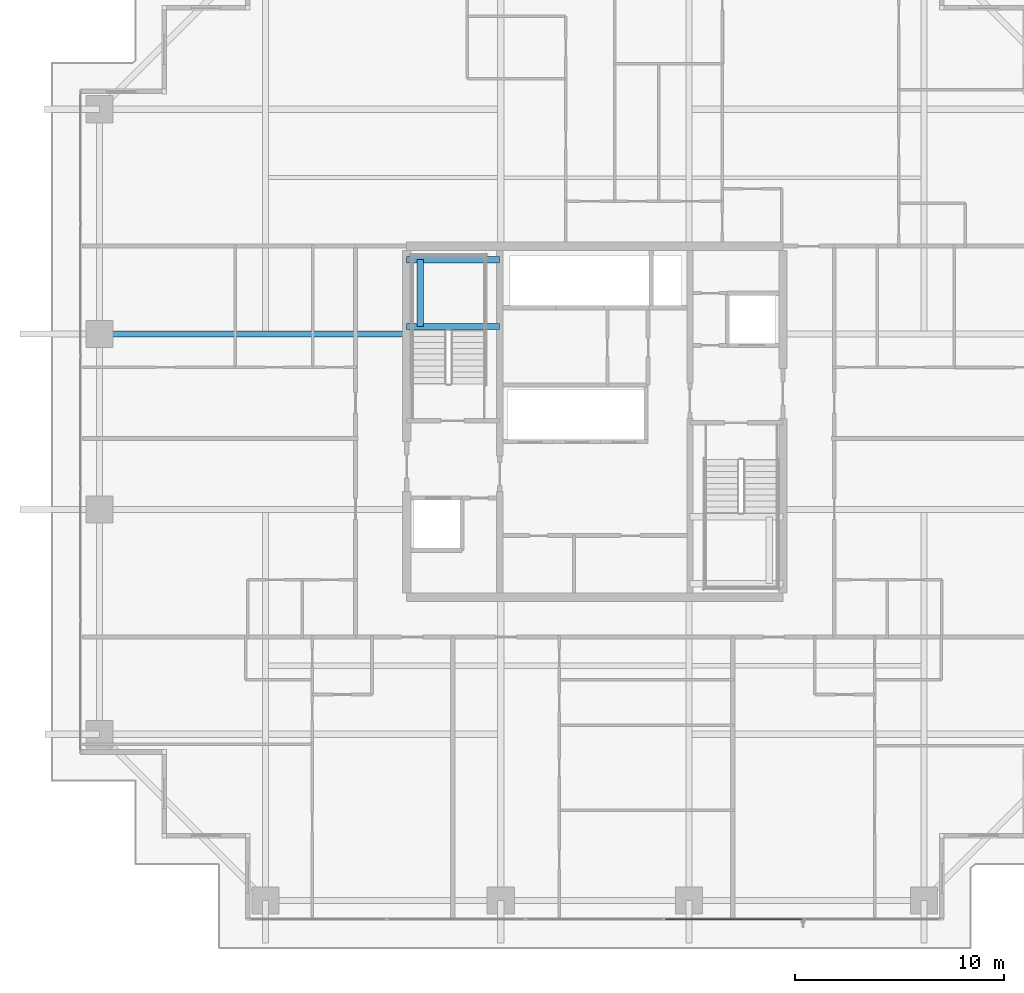
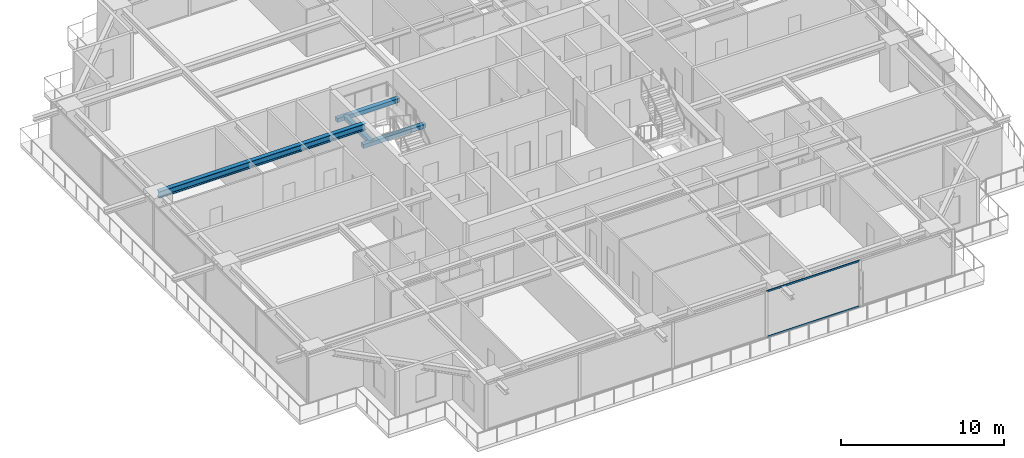
# One storey, part 9 of 34: 4 beams, 2 members, 1 element without a shape of its own.
"""IFC4 building model written with IfcOpenShell, lengths in metres."""

from ifc_helpers import new_model, si_unit, direction, frame, origin, origin_2d, place, context, subcontext, project, spatial, rectangle, hollow_rectangle, i_section, extrude, source, transform, mapped, material, layer, layer_set, material_profile, profile_set, type_object, element, aggregate, save


model = new_model("IFC4")

# Units and contexts
model_context = context("Model", 3, precision=1e-05, world=origin(), true_north=direction((0.0, 1.0)))
body_context = subcontext(model_context, "Body", "Model", "MODEL_VIEW")
ifc_project = project(units=[si_unit("LENGTHUNIT", "METRE"), si_unit("AREAUNIT", "SQUARE_METRE"), si_unit("VOLUMEUNIT", "CUBIC_METRE"), si_unit("PLANEANGLEUNIT", "RADIAN"), si_unit("MASSUNIT", "GRAM", prefix="KILO")], contexts=[model_context])

# Site, building, storey
site_placement = place(None, origin())
site = spatial("IfcSite", under=ifc_project, at=site_placement, CompositionType="ELEMENT")
building_placement = place(site_placement, origin())
building = spatial("IfcBuilding", under=site, at=building_placement, Name="Serunith Strait Residences", CompositionType="ELEMENT")
storey_placement = place(building_placement, frame((0.0, 0.0, 180.14990234375)))
storey = spatial("IfcBuildingStorey", under=building, at=storey_placement, Name="L45", CompositionType="ELEMENT", Elevation=180.14990234375)

# Beams
ifc_material_1 = material(Name="Steel S355J2", Category="steel")
ifc_material_profile_1 = material_profile(ifc_material_1, i_section(OverallWidth=0.300048828125, OverallDepth=0.5, WebThickness=0.014404296875, FlangeThickness=0.028076171875, FilletRadius=0.027099609375, at=origin_2d()), Name="HEB 500")
ifc_profile_set_1 = profile_set([ifc_material_profile_1], Name="Steel S355J2")
beam_type_1 = type_object("IfcBeamType", Name="BM-HEB500", PredefinedType="BEAM", material=ifc_profile_set_1)
shared_shape_1 = source(origin(), body_context, "Body", "SweptSolid", [
    extrude(i_section(OverallWidth=0.300048828125, OverallDepth=0.5, WebThickness=0.014404296875, FlangeThickness=0.028076171875, FilletRadius=0.027099609375, at=origin_2d()), origin(), (0.0, 0.0, 1.0), 14.699951171875),
])
beam_1_placement = place(storey_placement, frame((23.39990234375, 29.39990234375, 3.237060546875), z_axis=(-1.0, 0.0, 0.0), x_axis=(0.0, -1.0, 0.0)))
element("IfcBeam", 1, at=beam_1_placement, inside=storey, type_object=beam_type_1, Name="L45 Primary Floor Girder TC-W3", PredefinedType="BEAM", context=body_context, shape_type="MappedRepresentation", body=[
    mapped(shared_shape_1, transform((0.0, 0.0, 0.0), scale=1.0)),
])
ifc_material_2 = material(Name="Concrete C60/75", Category="concrete")
ifc_material_profile_2 = material_profile(ifc_material_2, rectangle(XDim=0.300048828125, YDim=0.300048828125, at=origin_2d()), Name="RC 300x300")
ifc_profile_set_2 = profile_set([ifc_material_profile_2], Name="Concrete C60/75")
beam_type_2 = type_object("IfcBeamType", Name="BM-LAND-300x300", PredefinedType="BEAM", material=ifc_profile_set_2)
shared_shape_2 = source(origin(), body_context, "Body", "SweptSolid", [
    extrude(rectangle(XDim=0.300048828125, YDim=0.300048828125, at=origin_2d()), origin(), (0.0, 0.0, 1.0), 4.4501953125),
])
for number, where, z_axis, x_axis, name in (
    (2, (23.39990234375, 29.75, 1.525146484375), (1.0, 0.0, 0.0), (0.0, 1.0, 0.0), "L45 ST-1 Landing Support Beam 1"),
    (3, (23.39990234375, 32.949951171875, 1.525146484375), (1.0, 0.0, 0.0), (0.0, 1.0, 0.0), "L45 ST-1 Landing Support Beam 2"),
):
    element("IfcBeam", number, at=place(storey_placement, frame(where, z_axis=z_axis, x_axis=x_axis)), inside=storey, type_object=beam_type_2, Name=name, PredefinedType="BEAM", context=body_context, shape_type="MappedRepresentation", body=[
        mapped(shared_shape_2, transform((0.0, 0.0, 0.0), scale=1.0)),
    ])
shared_shape_3 = source(origin(), body_context, "Body", "SweptSolid", [
    extrude(rectangle(XDim=0.300048828125, YDim=0.300048828125, at=origin_2d()), origin(), (0.0, 0.0, 1.0), 3.199951171875),
])
beam_2_placement = place(storey_placement, frame((24.050048828125, 29.75, 1.525146484375), z_axis=(0.0, 1.0, 0.0), x_axis=(-1.0, 0.0, 0.0)))
element("IfcBeam", 4, at=beam_2_placement, inside=storey, type_object=beam_type_2, Name="L45 ST-1 Landing Transverse Tie Beam", PredefinedType="BEAM", context=body_context, shape_type="MappedRepresentation", body=[
    mapped(shared_shape_3, transform((0.0, 0.0, 0.0), scale=1.0)),
])

# Curtain wall, members
ifc_material_3 = material(Name="Pale-Champagne Anodised Aluminium", Category="aluminium")
ifc_layer = layer(ifc_material_3, 0.199951171875, Name="Pale-Champagne Anodised Aluminium")
ifc_layer_set = layer_set([ifc_layer], Name="Pale-Champagne Anodised Aluminium")
curtain_wall_type = type_object("IfcCurtainWallType", Name="CW-SYS2", PredefinedType="NOTDEFINED", material=ifc_layer_set)
curtain_wall_placement = place(storey_placement, origin())
curtain_wall = element("IfcCurtainWall", 5, at=curtain_wall_placement, inside=storey, type_object=curtain_wall_type, Name="L45 S Unitised Fritted Curtain Wall", PredefinedType="NOTDEFINED")
ifc_material_profile_3 = material_profile(ifc_material_3, hollow_rectangle(XDim=0.06005859375, YDim=0.139892578125, WallThickness=0.00341796875, InnerFilletRadius=0.00537109375, OuterFilletRadius=0.0087890625, at=origin_2d()), Name="ALU 140x60x3.5")
ifc_profile_set_3 = profile_set([ifc_material_profile_3], Name="Pale-Champagne Anodised Aluminium")
member_type = type_object("IfcMemberType", Name="CW-SYS2-TRAN", PredefinedType="USERDEFINED", material=ifc_profile_set_3)
shared_shape_4 = source(origin(), body_context, "Body", "SweptSolid", [
    extrude(hollow_rectangle(XDim=0.06005859375, YDim=0.139892578125, WallThickness=0.00341796875, InnerFilletRadius=0.00537109375, OuterFilletRadius=0.0087890625, at=origin_2d()), origin(), (0.0, 0.0, 1.0), 6.570068359375),
])
member_1_placement = place(storey_placement, frame((35.7548828125, 1.39990234375, 0.030029296875), z_axis=(1.0, 0.0, 0.0), x_axis=(0.0, 1.0, 0.0)))
member_1 = element("IfcMember", 6, at=member_1_placement, type_object=member_type, Name="CW-2 transom 4.1", ObjectType="TRANSOM", PredefinedType="USERDEFINED", context=body_context, shape_type="MappedRepresentation", body=[
    mapped(shared_shape_4, transform((0.0, 0.0, 0.0), scale=1.0)),
])
member_2_placement = place(storey_placement, frame((35.7548828125, 1.39990234375, 3.445068359375), z_axis=(1.0, 0.0, 0.0), x_axis=(0.0, 1.0, 0.0)))
member_2 = element("IfcMember", 7, at=member_2_placement, type_object=member_type, Name="CW-2 transom 4.2", ObjectType="TRANSOM", PredefinedType="USERDEFINED", context=body_context, shape_type="MappedRepresentation", body=[
    mapped(shared_shape_4, transform((0.0, 0.0, 0.0), scale=1.0)),
])
aggregate(curtain_wall, [member_1, member_2])

save(model, "model.ifc")
